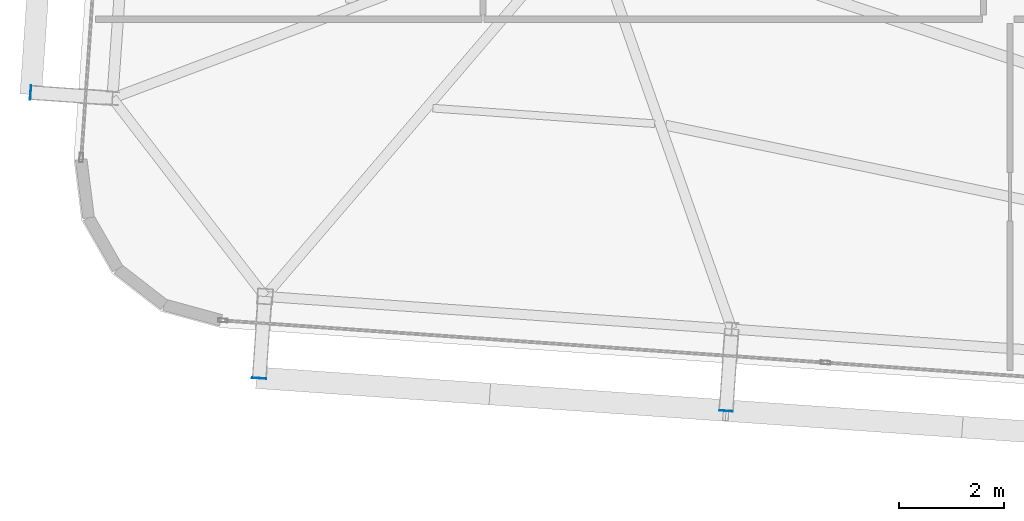
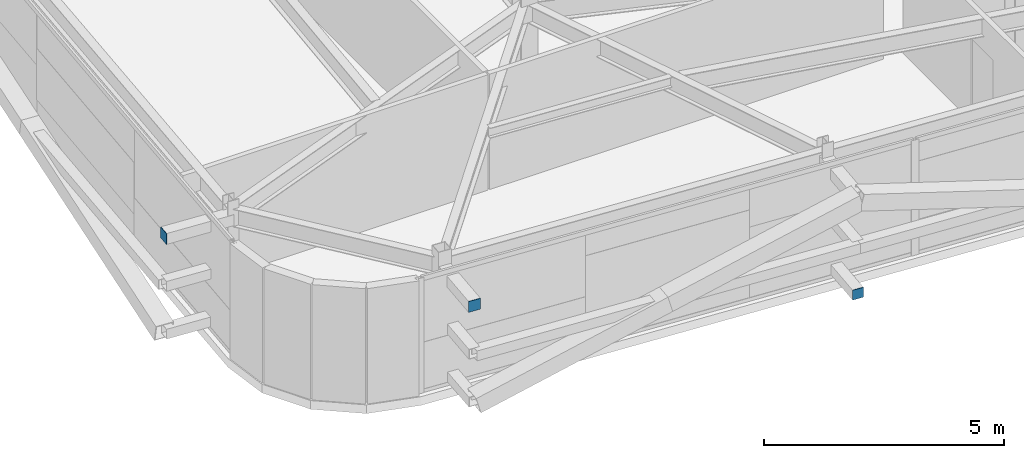
# One storey, part 27 of 39: 3 plates.
"""IFC4 building model written with IfcOpenShell, lengths in metres."""

from ifc_helpers import new_model, si_unit, direction, frame, origin, origin_2d, place, context, subcontext, project, spatial, rectangle, extrude, source, transform, mapped, material, layer, layer_set, type_object, element, save


model = new_model("IFC4")

# Units and contexts
model_context = context("Model", 3, precision=1e-05, world=origin(), true_north=direction((0.0, 1.0)))
body_context = subcontext(model_context, "Body", "Model", "MODEL_VIEW")
ifc_project = project(units=[si_unit("LENGTHUNIT", "METRE"), si_unit("AREAUNIT", "SQUARE_METRE"), si_unit("VOLUMEUNIT", "CUBIC_METRE"), si_unit("PLANEANGLEUNIT", "RADIAN"), si_unit("MASSUNIT", "GRAM", prefix="KILO")], contexts=[model_context])

# Site, building, storey
site_placement = place(None, origin())
site = spatial("IfcSite", under=ifc_project, at=site_placement, CompositionType="ELEMENT")
building_placement = place(site_placement, origin())
building = spatial("IfcBuilding", under=site, at=building_placement, Name="Taldren Reach Tower", CompositionType="ELEMENT")
storey_placement = place(building_placement, frame((0.0, 0.0, 126.699951171875)))
storey = spatial("IfcBuildingStorey", under=building, at=storey_placement, Name="L38", CompositionType="ELEMENT", Elevation=126.699951171875)

# Plates
ifc_material_1 = material(Name="Steel Gr 450 (C450L0)", Category="steel")
ifc_layer_1 = layer(ifc_material_1, 0.011962890625)
ifc_layer_set_1 = layer_set([ifc_layer_1], Name="Steel Gr 450 (C450L0)")
plate_type_1 = type_object("IfcPlateType", Name="PL-CAP-275", PredefinedType="SHEET", material=ifc_layer_set_1)
shared_shape_1 = source(origin(), body_context, "Body", "SweptSolid", [
    extrude(rectangle(XDim=0.27490234375, YDim=0.011962890625, at=origin_2d()), origin(), (0.0, 0.0, 1.0), 0.27490234375),
])
plate_1_placement = place(storey_placement, frame((11.755126953125, 3.7861328125, 2.5126953125), z_axis=(0.0, 0.0, 1.0), x_axis=(0.99756405026, -0.069756473744, 0.0)))
element("IfcPlate", 1, at=plate_1_placement, inside=storey, type_object=plate_type_1, Name="Tie strut end cap plate B3-S1 L38", PredefinedType="SHEET", context=body_context, shape_type="MappedRepresentation", body=[
    mapped(shared_shape_1, transform((0.0, 0.0, 0.0), scale=1.0)),
])
shared_shape_2 = source(origin(), body_context, "Body", "SweptSolid", [
    extrude(rectangle(XDim=0.011962890625, YDim=0.27490234375, at=origin_2d()), origin(), (0.0, 0.0, 1.0), 0.27490234375),
])
plate_2_placement = place(storey_placement, frame((7.416748046875, 9.2080078125, 2.5126953125), z_axis=(0.0, 0.0, 1.0), x_axis=(0.99756405026, -0.069756473744, 0.0)))
element("IfcPlate", 2, at=plate_2_placement, inside=storey, type_object=plate_type_1, Name="Tie strut end cap plate B3-W1 L38", PredefinedType="SHEET", context=body_context, shape_type="MappedRepresentation", body=[
    mapped(shared_shape_2, transform((0.0, 0.0, 0.0), scale=1.0)),
])
ifc_material_2 = material(Name="Steel Gr 350 (C350L0)", Category="steel")
ifc_layer_2 = layer(ifc_material_2, 0.011962890625)
ifc_layer_set_2 = layer_set([ifc_layer_2], Name="Steel Gr 350 (C350L0)")
plate_type_2 = type_object("IfcPlateType", Name="PL-CAP-250", PredefinedType="SHEET", material=ifc_layer_set_2)
shared_shape_3 = source(origin(), body_context, "Body", "SweptSolid", [
    extrude(rectangle(XDim=0.25, YDim=0.011962890625, at=origin_2d()), origin(), (0.0, 0.0, 1.0), 0.25),
])
plate_3_placement = place(storey_placement, frame((20.61328125, 3.166748046875, 0.094970703125), z_axis=(0.0, 0.0, 1.0), x_axis=(0.99756405026, -0.069756473744, 0.0)))
element("IfcPlate", 3, at=plate_3_placement, inside=storey, type_object=plate_type_2, Name="Tie strut end cap plate B3-S2 L38", PredefinedType="SHEET", context=body_context, shape_type="MappedRepresentation", body=[
    mapped(shared_shape_3, transform((0.0, 0.0, 0.0), scale=1.0)),
])

save(model, "model.ifc")
